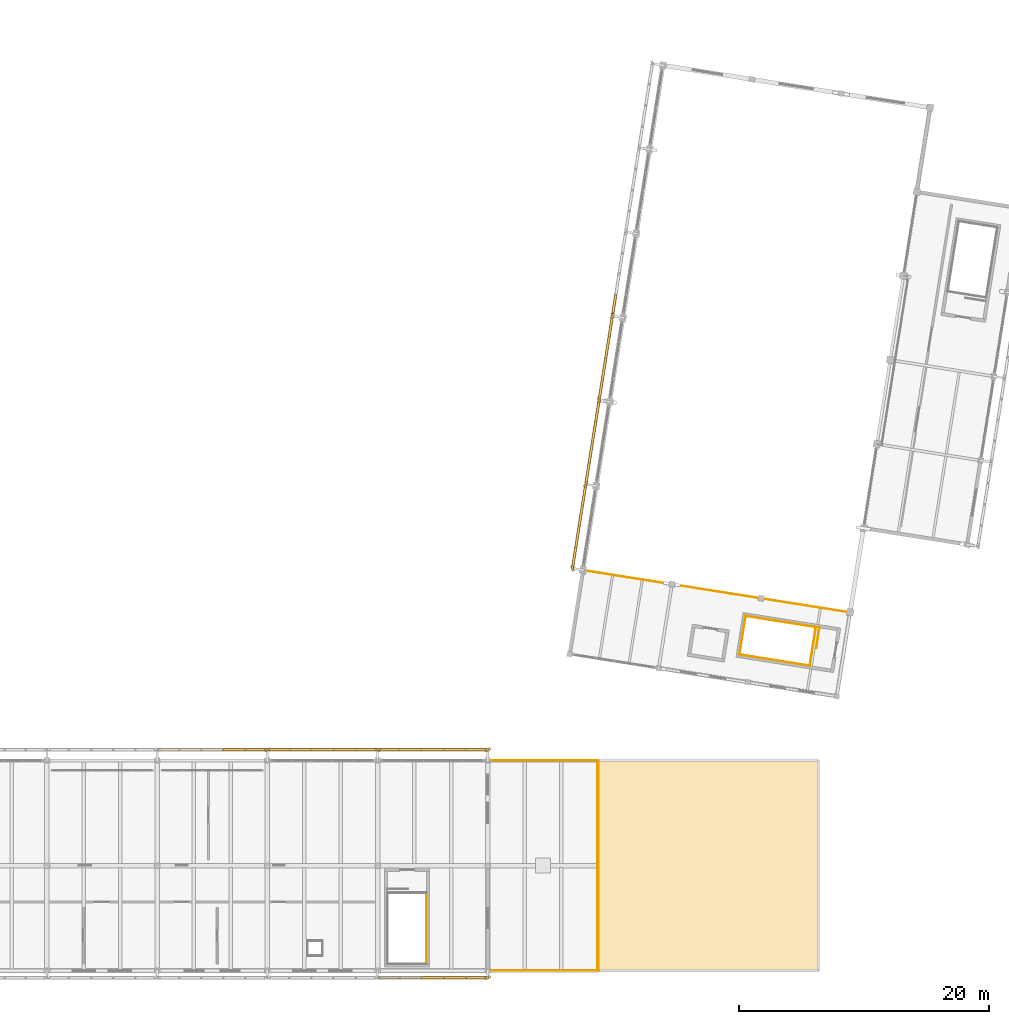
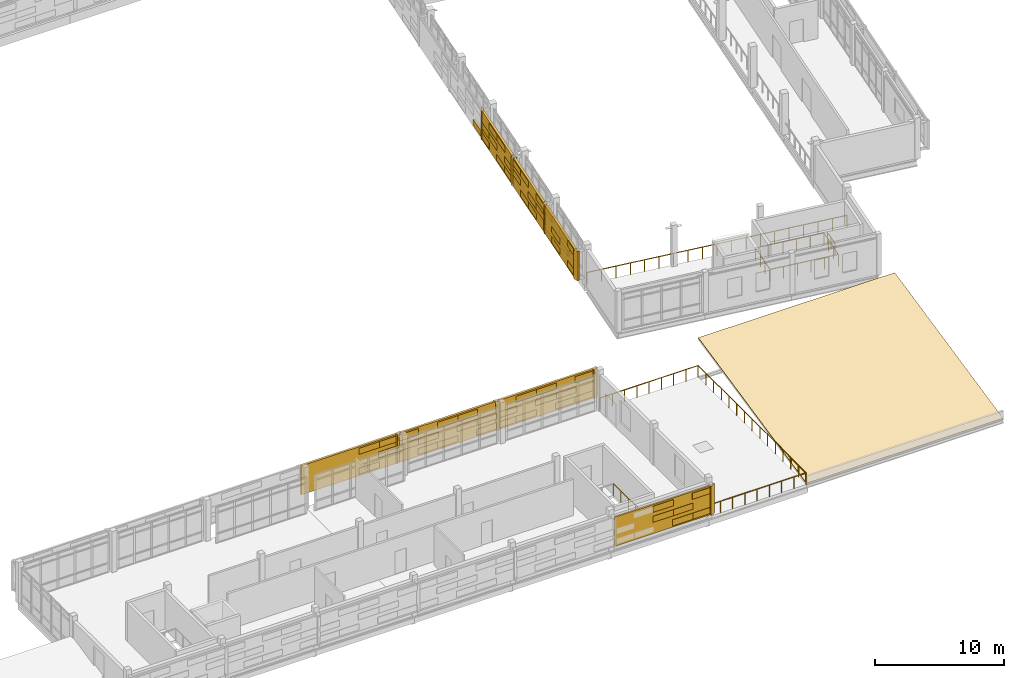
# One storey, part 110 of 117: 64 coverings, 10 railings, 7 shading devices.
"""IFC4 building model written with IfcOpenShell, lengths in metres."""

from ifc_helpers import new_model, si_unit, direction, frame, origin, origin_2d, place, context, subcontext, project, spatial, polyline, rectangle, circle, outline, extrude, material, layer, layer_set, type_object, element, save


model = new_model("IFC4")

# Units and contexts
model_context = context("Model", 3, precision=1e-05, world=origin(), true_north=direction((0.0, 1.0)))
body_context = subcontext(model_context, "Body", "Model", "MODEL_VIEW")
ifc_project = project(units=[si_unit("LENGTHUNIT", "METRE"), si_unit("AREAUNIT", "SQUARE_METRE"), si_unit("VOLUMEUNIT", "CUBIC_METRE"), si_unit("PLANEANGLEUNIT", "RADIAN"), si_unit("MASSUNIT", "GRAM", prefix="KILO")], contexts=[model_context])

# Site, building, storey
site_placement = place(None, origin())
site = spatial("IfcSite", under=ifc_project, at=site_placement, CompositionType="ELEMENT")
building_placement = place(site_placement, origin())
building = spatial("IfcBuilding", under=site, at=building_placement, Name="Cinderway Yard Community Centre", CompositionType="ELEMENT")
storey_placement = place(building_placement, frame((0.0, 0.0, 9.0)))
storey = spatial("IfcBuildingStorey", under=building, at=storey_placement, Name="L02", CompositionType="ELEMENT", Elevation=9.0)

# Coverings
ifc_material_1 = material(Name="Brick Masonry", Category="masonry")
ifc_layer_1 = layer(ifc_material_1, 0.18994140625, Name="Brick Masonry")
ifc_layer_set_1 = layer_set([ifc_layer_1], Name="Brick Masonry")
covering_type_1 = type_object("IfcCoveringType", Name="ENV-COV-BRK-SCREEN", PredefinedType="CLADDING", material=ifc_layer_set_1)
covering_1_placement = place(storey_placement, frame((110.39990234375, 5.449951171875, 0.64990234375), z_axis=(0.0, 0.0, 1.0), x_axis=(-0.913545457643, -0.406736643076, 0.0)))
element("IfcCovering", 1, at=covering_1_placement, inside=storey, type_object=covering_type_1, Name="Deconstructivist folded brick fin 0885", PredefinedType="CLADDING", context=body_context, shape_type="SweptSolid", body=[
    extrude(rectangle(XDim=0.4599609375, YDim=0.199951171875, at=origin_2d()), origin(), (0.0, 0.0, 1.0), 2.75),
])
for number, where, z_axis, x_axis, name in (
    (2, (107.760009765625, 5.449951171875, 0.79052734375), (0.0, 0.0, 1.0), (-1.0, 0.0, 0.0), "Open-bond perforated brick screen course 00938"),
    (3, (109.52001953125, 5.449951171875, 0.79052734375), (0.0, 0.0, 1.0), (-1.0, 0.0, 0.0), "Open-bond perforated brick screen course 00939"),
    (4, (106.0, 5.449951171875, 1.736328125), (0.0, 0.0, 1.0), (-1.0, 0.0, 0.0), "Open-bond perforated brick screen course 00941"),
    (5, (107.760009765625, 5.449951171875, 1.736328125), (0.0, 0.0, 1.0), (-1.0, 0.0, 0.0), "Open-bond perforated brick screen course 00942"),
    (6, (106.0, 5.449951171875, 2.6826171875), (0.0, 0.0, 1.0), (-1.0, 0.0, 0.0), "Open-bond perforated brick screen course 00944"),
    (7, (109.52001953125, 5.449951171875, 2.6826171875), (0.0, 0.0, 1.0), (-1.0, 0.0, 0.0), "Open-bond perforated brick screen course 00945"),
):
    element("IfcCovering", number, at=place(storey_placement, frame(where, z_axis=z_axis, x_axis=x_axis)), inside=storey, type_object=covering_type_1, Name=name, PredefinedType="CLADDING", context=body_context, shape_type="SweptSolid", body=[
        extrude(rectangle(XDim=1.840087890625, YDim=0.18994140625, at=origin_2d()), origin(), (0.0, 0.0, 1.0), 0.576904296875),
    ])
for number, where, z_axis, x_axis, name in (
    (8, (92.800048828125, 23.64990234375, 0.64990234375), (0.0, 0.0, 1.0), (0.913545457643, 0.406736643076, 0.0), "Deconstructivist folded brick fin 0950"),
    (9, (101.60009765625, 23.64990234375, 0.64990234375), (0.0, 0.0, 1.0), (0.913545457643, -0.406736643076, 0.0), "Deconstructivist folded brick fin 0951"),
    (10, (110.39990234375, 23.64990234375, 0.64990234375), (0.0, 0.0, 1.0), (0.913545457643, 0.406736643076, 0.0), "Deconstructivist folded brick fin 0952"),
):
    element("IfcCovering", number, at=place(storey_placement, frame(where, z_axis=z_axis, x_axis=x_axis)), inside=storey, type_object=covering_type_1, Name=name, PredefinedType="CLADDING", context=body_context, shape_type="SweptSolid", body=[
        extrude(rectangle(XDim=0.4599609375, YDim=0.199951171875, at=origin_2d()), origin(), (0.0, 0.0, 1.0), 2.75),
    ])
for number, where, z_axis, x_axis, name in (
    (11, (90.159912109375, 23.64990234375, 0.79052734375), (0.0, 0.0, 1.0), (1.0, 0.0, 0.0), "Open-bond perforated brick screen course 00985"),
    (12, (91.919921875, 23.64990234375, 1.736328125), (0.0, 0.0, 1.0), (1.0, 0.0, 0.0), "Open-bond perforated brick screen course 00988"),
    (13, (90.159912109375, 23.64990234375, 2.6826171875), (0.0, 0.0, 1.0), (1.0, 0.0, 0.0), "Open-bond perforated brick screen course 00991"),
    (14, (91.919921875, 23.64990234375, 2.6826171875), (0.0, 0.0, 1.0), (1.0, 0.0, 0.0), "Open-bond perforated brick screen course 00992"),
    (15, (95.43994140625, 23.64990234375, 0.79052734375), (0.0, 0.0, 1.0), (1.0, 0.0, 0.0), "Open-bond perforated brick screen course 00993"),
    (16, (97.199951171875, 23.64990234375, 0.79052734375), (0.0, 0.0, 1.0), (1.0, 0.0, 0.0), "Open-bond perforated brick screen course 00994"),
    (17, (100.719970703125, 23.64990234375, 0.79052734375), (0.0, 0.0, 1.0), (1.0, 0.0, 0.0), "Open-bond perforated brick screen course 00995"),
    (18, (93.679931640625, 23.64990234375, 1.736328125), (0.0, 0.0, 1.0), (1.0, 0.0, 0.0), "Open-bond perforated brick screen course 00996"),
    (19, (95.43994140625, 23.64990234375, 1.736328125), (0.0, 0.0, 1.0), (1.0, 0.0, 0.0), "Open-bond perforated brick screen course 00997"),
    (20, (98.9599609375, 23.64990234375, 1.736328125), (0.0, 0.0, 1.0), (1.0, 0.0, 0.0), "Open-bond perforated brick screen course 00998"),
    (21, (100.719970703125, 23.64990234375, 1.736328125), (0.0, 0.0, 1.0), (1.0, 0.0, 0.0), "Open-bond perforated brick screen course 00999"),
    (22, (93.679931640625, 23.64990234375, 2.6826171875), (0.0, 0.0, 1.0), (1.0, 0.0, 0.0), "Open-bond perforated brick screen course 01000"),
    (23, (97.199951171875, 23.64990234375, 2.6826171875), (0.0, 0.0, 1.0), (1.0, 0.0, 0.0), "Open-bond perforated brick screen course 01001"),
    (24, (98.9599609375, 23.64990234375, 2.6826171875), (0.0, 0.0, 1.0), (1.0, 0.0, 0.0), "Open-bond perforated brick screen course 01002"),
    (25, (102.47998046875, 23.64990234375, 0.79052734375), (0.0, 0.0, 1.0), (1.0, 0.0, 0.0), "Open-bond perforated brick screen course 01003"),
    (26, (104.239990234375, 23.64990234375, 0.79052734375), (0.0, 0.0, 1.0), (1.0, 0.0, 0.0), "Open-bond perforated brick screen course 01004"),
    (27, (107.760009765625, 23.64990234375, 0.79052734375), (0.0, 0.0, 1.0), (1.0, 0.0, 0.0), "Open-bond perforated brick screen course 01005"),
    (28, (109.52001953125, 23.64990234375, 0.79052734375), (0.0, 0.0, 1.0), (1.0, 0.0, 0.0), "Open-bond perforated brick screen course 01006"),
    (29, (102.47998046875, 23.64990234375, 1.736328125), (0.0, 0.0, 1.0), (1.0, 0.0, 0.0), "Open-bond perforated brick screen course 01007"),
    (30, (106.0, 23.64990234375, 1.736328125), (0.0, 0.0, 1.0), (1.0, 0.0, 0.0), "Open-bond perforated brick screen course 01008"),
    (31, (107.760009765625, 23.64990234375, 1.736328125), (0.0, 0.0, 1.0), (1.0, 0.0, 0.0), "Open-bond perforated brick screen course 01009"),
    (32, (104.239990234375, 23.64990234375, 2.6826171875), (0.0, 0.0, 1.0), (1.0, 0.0, 0.0), "Open-bond perforated brick screen course 01010"),
    (33, (106.0, 23.64990234375, 2.6826171875), (0.0, 0.0, 1.0), (1.0, 0.0, 0.0), "Open-bond perforated brick screen course 01011"),
    (34, (109.52001953125, 23.64990234375, 2.6826171875), (0.0, 0.0, 1.0), (1.0, 0.0, 0.0), "Open-bond perforated brick screen course 01012"),
):
    element("IfcCovering", number, at=place(storey_placement, frame(where, z_axis=z_axis, x_axis=x_axis)), inside=storey, type_object=covering_type_1, Name=name, PredefinedType="CLADDING", context=body_context, shape_type="SweptSolid", body=[
        extrude(rectangle(XDim=1.840087890625, YDim=0.18994140625, at=origin_2d()), origin(), (0.0, 0.0, 1.0), 0.576904296875),
    ])
for number, where, z_axis, x_axis, name in (
    (35, (117.159912109375, 38.133056640625, 0.64990234375), (0.0, 0.0, 1.0), (-0.258819045103, 0.965925826289, 0.0), "Deconstructivist folded brick fin 1375"),
    (36, (118.22412109375, 44.84912109375, 0.64990234375), (0.0, 0.0, 1.0), (0.544639035015, 0.838670567945, 0.0), "Deconstructivist folded brick fin 1376"),
    (37, (119.2880859375, 51.56591796875, 0.64990234375), (0.0, 0.0, 1.0), (-0.258819045103, 0.965925826289, 0.0), "Deconstructivist folded brick fin 1377"),
    (38, (120.35107421875, 58.281982421875, 0.64990234375), (0.0, 0.0, 1.0), (0.544639035015, 0.838670567945, 0.0), "Deconstructivist folded brick fin 1378"),
):
    element("IfcCovering", number, at=place(storey_placement, frame(where, z_axis=z_axis, x_axis=x_axis)), inside=storey, type_object=covering_type_1, Name=name, PredefinedType="CLADDING", context=body_context, shape_type="SweptSolid", body=[
        extrude(rectangle(XDim=0.4599609375, YDim=0.199951171875, at=origin_2d()), origin(), (0.0, 0.0, 1.0), 2.75),
    ])
for number, where, z_axis, x_axis, name in (
    (39, (117.29296875, 38.972900390625, 0.79052734375), (0.0, 0.0, 1.0), (0.15643446504, 0.987688340595, 0.0), "Open-bond perforated brick screen course 01382"),
    (40, (117.824951171875, 42.3310546875, 0.79052734375), (0.0, 0.0, 1.0), (0.15643446504, 0.987688340595, 0.0), "Open-bond perforated brick screen course 01383"),
    (41, (118.091064453125, 44.009033203125, 0.79052734375), (0.0, 0.0, 1.0), (0.15643446504, 0.987688340595, 0.0), "Open-bond perforated brick screen course 01384"),
    (42, (117.55908203125, 40.65087890625, 1.736328125), (0.0, 0.0, 1.0), (0.15643446504, 0.987688340595, 0.0), "Open-bond perforated brick screen course 01385"),
    (43, (117.824951171875, 42.3310546875, 1.736328125), (0.0, 0.0, 1.0), (0.15643446504, 0.987688340595, 0.0), "Open-bond perforated brick screen course 01386"),
    (44, (117.29296875, 38.972900390625, 2.6826171875), (0.0, 0.0, 1.0), (0.15643446504, 0.987688340595, 0.0), "Open-bond perforated brick screen course 01387"),
    (45, (117.55908203125, 40.65087890625, 2.6826171875), (0.0, 0.0, 1.0), (0.15643446504, 0.987688340595, 0.0), "Open-bond perforated brick screen course 01388"),
    (46, (118.091064453125, 44.009033203125, 2.6826171875), (0.0, 0.0, 1.0), (0.15643446504, 0.987688340595, 0.0), "Open-bond perforated brick screen course 01389"),
    (47, (118.623046875, 47.367919921875, 0.79052734375), (0.0, 0.0, 1.0), (0.15643446504, 0.987688340595, 0.0), "Open-bond perforated brick screen course 01390"),
    (48, (118.888916015625, 49.047119140625, 0.79052734375), (0.0, 0.0, 1.0), (0.15643446504, 0.987688340595, 0.0), "Open-bond perforated brick screen course 01391"),
    (49, (118.35693359375, 45.68896484375, 1.736328125), (0.0, 0.0, 1.0), (0.15643446504, 0.987688340595, 0.0), "Open-bond perforated brick screen course 01392"),
    (50, (118.623046875, 47.367919921875, 1.736328125), (0.0, 0.0, 1.0), (0.15643446504, 0.987688340595, 0.0), "Open-bond perforated brick screen course 01393"),
    (51, (119.155029296875, 50.72607421875, 1.736328125), (0.0, 0.0, 1.0), (0.15643446504, 0.987688340595, 0.0), "Open-bond perforated brick screen course 01394"),
    (52, (118.35693359375, 45.68896484375, 2.6826171875), (0.0, 0.0, 1.0), (0.15643446504, 0.987688340595, 0.0), "Open-bond perforated brick screen course 01395"),
    (53, (118.888916015625, 49.047119140625, 2.6826171875), (0.0, 0.0, 1.0), (0.15643446504, 0.987688340595, 0.0), "Open-bond perforated brick screen course 01396"),
    (54, (119.155029296875, 50.72607421875, 2.6826171875), (0.0, 0.0, 1.0), (0.15643446504, 0.987688340595, 0.0), "Open-bond perforated brick screen course 01397"),
    (55, (119.4208984375, 52.406005859375, 0.79052734375), (0.0, 0.0, 1.0), (0.15643446504, 0.987688340595, 0.0), "Open-bond perforated brick screen course 01398"),
    (56, (119.68701171875, 54.083984375, 0.79052734375), (0.0, 0.0, 1.0), (0.15643446504, 0.987688340595, 0.0), "Open-bond perforated brick screen course 01399"),
    (57, (120.218017578125, 57.44189453125, 0.79052734375), (0.0, 0.0, 1.0), (0.15643446504, 0.987688340595, 0.0), "Open-bond perforated brick screen course 01400"),
    (58, (119.4208984375, 52.406005859375, 1.736328125), (0.0, 0.0, 1.0), (0.15643446504, 0.987688340595, 0.0), "Open-bond perforated brick screen course 01401"),
    (59, (119.951904296875, 55.763916015625, 1.736328125), (0.0, 0.0, 1.0), (0.15643446504, 0.987688340595, 0.0), "Open-bond perforated brick screen course 01402"),
    (60, (120.218017578125, 57.44189453125, 1.736328125), (0.0, 0.0, 1.0), (0.15643446504, 0.987688340595, 0.0), "Open-bond perforated brick screen course 01403"),
    (61, (119.68701171875, 54.083984375, 2.6826171875), (0.0, 0.0, 1.0), (0.15643446504, 0.987688340595, 0.0), "Open-bond perforated brick screen course 01404"),
    (62, (119.951904296875, 55.763916015625, 2.6826171875), (0.0, 0.0, 1.0), (0.15643446504, 0.987688340595, 0.0), "Open-bond perforated brick screen course 01405"),
    (63, (120.48388671875, 59.12109375, 0.79052734375), (0.0, 0.0, 1.0), (0.15643446504, 0.987688340595, 0.0), "Open-bond perforated brick screen course 01406"),
):
    element("IfcCovering", number, at=place(storey_placement, frame(where, z_axis=z_axis, x_axis=x_axis)), inside=storey, type_object=covering_type_1, Name=name, PredefinedType="CLADDING", context=body_context, shape_type="SweptSolid", body=[
        extrude(rectangle(XDim=1.780029296875, YDim=0.18994140625, at=origin_2d()), origin(), (0.0, 0.0, 1.0), 0.576904296875),
    ])

# Shading devices
shading_device_type_1 = type_object("IfcShadingDeviceType", Name="ENV-SHD-BRICKSCREEN-A", PredefinedType="USERDEFINED", material=ifc_material_1)
for number, where, z_axis, x_axis, name in (
    (64, (88.39990234375, 23.64990234375, 0.64990234375), (0.0, 0.0, 1.0), (1.0, 0.0, 0.0), "V3 Courtyard Perforated Brick Screen 0723"),
    (65, (97.199951171875, 23.64990234375, 0.64990234375), (0.0, 0.0, 1.0), (1.0, 0.0, 0.0), "V3 Courtyard Perforated Brick Screen 0731"),
    (66, (106.0, 23.64990234375, 0.64990234375), (0.0, 0.0, 1.0), (1.0, 0.0, 0.0), "V3 Courtyard Perforated Brick Screen 0739"),
):
    element("IfcShadingDevice", number, at=place(storey_placement, frame(where, z_axis=z_axis, x_axis=x_axis)), inside=storey, type_object=shading_device_type_1, Name=name, ObjectType="PERFORATED BRICK SCREEN", PredefinedType="USERDEFINED", context=body_context, shape_type="SweptSolid", body=[
        extrude(rectangle(XDim=8.60009765625, YDim=0.18994140625, at=origin_2d()), origin(), (0.0, 0.0, 1.0), 2.75),
    ])
shading_device_1_placement = place(storey_placement, frame((117.69189453125, 41.490966796875, 0.64990234375), z_axis=(0.0, 0.0, 1.0), x_axis=(0.15643446504, 0.987688340595, 0.0)))
element("IfcShadingDevice", 67, at=shading_device_1_placement, inside=storey, type_object=shading_device_type_1, Name="Sports Hall Courtyard Perforated Brick Screen 1047", ObjectType="PERFORATED BRICK SCREEN", PredefinedType="USERDEFINED", context=body_context, shape_type="SweptSolid", body=[
    extrude(rectangle(XDim=6.60009765625, YDim=0.18994140625, at=origin_2d()), origin(), (0.0, 0.0, 1.0), 2.75),
])
shading_device_2_placement = place(storey_placement, frame((118.756103515625, 48.20703125, 0.64990234375), z_axis=(0.0, 0.0, 1.0), x_axis=(0.15643446504, 0.987688340595, 0.0)))
element("IfcShadingDevice", 68, at=shading_device_2_placement, inside=storey, type_object=shading_device_type_1, Name="Sports Hall Courtyard Perforated Brick Screen 1054", ObjectType="PERFORATED BRICK SCREEN", PredefinedType="USERDEFINED", context=body_context, shape_type="SweptSolid", body=[
    extrude(rectangle(XDim=6.60107421875, YDim=0.18994140625, at=origin_2d()), origin(), (0.0, 0.0, 1.0), 2.75),
])
shading_device_3_placement = place(storey_placement, frame((119.820068359375, 54.924072265625, 0.64990234375), z_axis=(0.0, 0.0, 1.0), x_axis=(0.15643446504, 0.987688340595, 0.0)))
element("IfcShadingDevice", 69, at=shading_device_3_placement, inside=storey, type_object=shading_device_type_1, Name="Sports Hall Courtyard Perforated Brick Screen 1061", ObjectType="PERFORATED BRICK SCREEN", PredefinedType="USERDEFINED", context=body_context, shape_type="SweptSolid", body=[
    extrude(rectangle(XDim=6.60009765625, YDim=0.18994140625, at=origin_2d()), origin(), (0.0, 0.0, 1.0), 2.75),
])
ifc_material_2 = material(Name="Aluminium 6063-T6", Category="aluminium")
shading_device_type_2 = type_object("IfcShadingDeviceType", Name="ENV-SHD-JALOUSIE", PredefinedType="JALOUSIE", material=ifc_material_2)
shading_device_4_placement = place(storey_placement, frame((106.0, 5.449951171875, 0.64990234375), z_axis=(0.0, 0.0, 1.0), x_axis=(-1.0, 0.0, 0.0)))
element("IfcShadingDevice", 70, at=shading_device_4_placement, inside=storey, type_object=shading_device_type_2, Name="South Rail-Yard Solar Screen 0690", PredefinedType="JALOUSIE", context=body_context, shape_type="SweptSolid", body=[
    extrude(rectangle(XDim=8.60009765625, YDim=0.139892578125, at=origin_2d()), origin(), (0.0, 0.0, 1.0), 2.75),
])

# Covering
ifc_material_3 = material(Name="Standing-Seam Aluminium & Waterproofing", Category="aluminium")
ifc_layer_2 = layer(ifc_material_3, 0.06005859375, Name="Standing-Seam Aluminium & Waterproofing")
ifc_layer_set_2 = layer_set([ifc_layer_2], Name="Standing-Seam Aluminium & Waterproofing")
covering_type_2 = type_object("IfcCoveringType", Name="INT-COV-ROOF-MEM", PredefinedType="ROOFING", material=ifc_layer_set_2)
covering_2_placement = place(storey_placement, frame((119.199951171875, 6.0, 0.110107421875), z_axis=(0.0, -0.209520355025, 0.977804285545), x_axis=(1.0, 0.0, 0.0)))
element("IfcCovering", 71, at=covering_2_placement, inside=storey, type_object=covering_type_2, Name="Standing-seam roof membrane 18", PredefinedType="ROOFING", context=body_context, shape_type="SweptSolid", body=[
    extrude(outline(polyline([(0.0, 0.0), (17.60009765625, 0.0), (17.60009765625, 17.18140232813788), (0.0, 17.18140232813788), (0.0, 0.0)])), origin(), (0.0, 0.0, -1.0), 0.06005859375),
])

# Railings
ifc_material_4 = material(Name="Painted Galvanised Steel", Category="steel")
railing_type_1 = type_object("IfcRailingType", Name="INT-RAL-BAL112", PredefinedType="BALUSTRADE", material=ifc_material_4)
railing_1_placement = place(storey_placement, frame((117.9970703125, 37.97998046875, 0.0)))
element("IfcRailing", 72, at=railing_1_placement, inside=storey, type_object=railing_type_1, Name="Sports South Overlook Guard L02 026", PredefinedType="BALUSTRADE", context=body_context, shape_type="SweptSolid", body=[
    extrude(circle(Radius=0.02392578125, at=origin_2d()), frame((0.0, 0.0, 1.09619140625), z_axis=(0.987688805013, -0.156431532791, 0.0), x_axis=(0.156431532791, 0.987688805013, 0.0)), (0.0, 0.0, 1.0), 21.599853515625),
    extrude(circle(Radius=0.02099609375, at=origin_2d()), origin(), (0.0, 0.0, 1.0), 1.072021484375),
    extrude(circle(Radius=0.02099609375, at=origin_2d()), frame((1.185302734375, -0.187744140625, 0.0)), (0.0, 0.0, 1.0), 1.072021484375),
    extrude(circle(Radius=0.02099609375, at=origin_2d()), frame((2.370361328125, -0.37548828125, 0.0)), (0.0, 0.0, 1.0), 1.072021484375),
    extrude(circle(Radius=0.02099609375, at=origin_2d()), frame((3.5556640625, -0.563232421875, 0.0)), (0.0, 0.0, 1.0), 1.072021484375),
    extrude(circle(Radius=0.02099609375, at=origin_2d()), frame((4.740966796875, -0.7509765625, 0.0)), (0.0, 0.0, 1.0), 1.072021484375),
    extrude(circle(Radius=0.02099609375, at=origin_2d()), frame((5.926025390625, -0.9384765625, 0.0)), (0.0, 0.0, 1.0), 1.072021484375),
    extrude(circle(Radius=0.02099609375, at=origin_2d()), frame((7.111328125, -1.126220703125, 0.0)), (0.0, 0.0, 1.0), 1.072021484375),
    extrude(circle(Radius=0.02099609375, at=origin_2d()), frame((8.296630859375, -1.31396484375, 0.0)), (0.0, 0.0, 1.0), 1.072021484375),
    extrude(circle(Radius=0.02099609375, at=origin_2d()), frame((9.481689453125, -1.501708984375, 0.0)), (0.0, 0.0, 1.0), 1.072021484375),
    extrude(circle(Radius=0.02099609375, at=origin_2d()), frame((10.6669921875, -1.689453125, 0.0)), (0.0, 0.0, 1.0), 1.072021484375),
    extrude(circle(Radius=0.02099609375, at=origin_2d()), frame((11.852294921875, -1.877197265625, 0.0)), (0.0, 0.0, 1.0), 1.072021484375),
    extrude(circle(Radius=0.02099609375, at=origin_2d()), frame((13.037353515625, -2.06494140625, 0.0)), (0.0, 0.0, 1.0), 1.072021484375),
    extrude(circle(Radius=0.02099609375, at=origin_2d()), frame((14.22265625, -2.252685546875, 0.0)), (0.0, 0.0, 1.0), 1.072021484375),
    extrude(circle(Radius=0.02099609375, at=origin_2d()), frame((15.407958984375, -2.4404296875, 0.0)), (0.0, 0.0, 1.0), 1.072021484375),
    extrude(circle(Radius=0.02099609375, at=origin_2d()), frame((16.593017578125, -2.6279296875, 0.0)), (0.0, 0.0, 1.0), 1.072021484375),
    extrude(circle(Radius=0.02099609375, at=origin_2d()), frame((17.7783203125, -2.815673828125, 0.0)), (0.0, 0.0, 1.0), 1.072021484375),
    extrude(circle(Radius=0.02099609375, at=origin_2d()), frame((18.963623046875, -3.00341796875, 0.0)), (0.0, 0.0, 1.0), 1.072021484375),
    extrude(circle(Radius=0.02099609375, at=origin_2d()), frame((20.148681640625, -3.191162109375, 0.0)), (0.0, 0.0, 1.0), 1.072021484375),
    extrude(circle(Radius=0.02099609375, at=origin_2d()), frame((21.333984375, -3.37890625, 0.0)), (0.0, 0.0, 1.0), 1.072021484375),
])
railing_type_2 = type_object("IfcRailingType", Name="INT-RAL-GRD112", PredefinedType="GUARDRAIL", material=ifc_material_4)
railing_2_placement = place(storey_placement, frame((136.881591796875, 33.3896484375, 0.0)))
element("IfcRailing", 73, at=railing_2_placement, inside=storey, type_object=railing_type_2, Name="L02 ST-07 top well guard 1", PredefinedType="GUARDRAIL", context=body_context, shape_type="SweptSolid", body=[
    extrude(circle(Radius=0.02392578125, at=origin_2d()), frame((0.0, 0.0, 1.076171875), z_axis=(-0.156451780473, -0.987685597944, 0.0), x_axis=(0.987685597944, -0.156451780473, 0.0)), (0.0, 0.0, 1.0), 1.64013671875),
    extrude(circle(Radius=0.02099609375, at=origin_2d()), origin(), (0.0, 0.0, 1.0), 1.052001953125),
    extrude(circle(Radius=0.02099609375, at=origin_2d()), frame((-0.12841796875, -0.81005859375, 0.0)), (0.0, 0.0, 1.0), 1.052001953125),
    extrude(circle(Radius=0.02099609375, at=origin_2d()), frame((-0.256591796875, -1.619873046875, 0.0)), (0.0, 0.0, 1.0), 1.052001953125),
])
railing_3_placement = place(storey_placement, frame((110.39990234375, 22.780029296875, 0.0)))
element("IfcRailing", 74, at=railing_3_placement, inside=storey, type_object=railing_type_2, Name="V3 L02 East Terrace Guard 029", PredefinedType="GUARDRAIL", context=body_context, shape_type="SweptSolid", body=[
    extrude(circle(Radius=0.02392578125, at=origin_2d()), frame((0.0, 0.0, 1.09619140625), z_axis=(1.0, 0.0, 0.0), x_axis=(0.0, 1.0, 0.0)), (0.0, 0.0, 1.0), 8.780029296875),
    extrude(circle(Radius=0.02099609375, at=origin_2d()), origin(), (0.0, 0.0, 1.0), 1.072021484375),
    extrude(circle(Radius=0.02099609375, at=origin_2d()), frame((1.097412109375, 0.0, 0.0)), (0.0, 0.0, 1.0), 1.072021484375),
    extrude(circle(Radius=0.02099609375, at=origin_2d()), frame((2.195068359375, 0.0, 0.0)), (0.0, 0.0, 1.0), 1.072021484375),
    extrude(circle(Radius=0.02099609375, at=origin_2d()), frame((3.29248046875, 0.0, 0.0)), (0.0, 0.0, 1.0), 1.072021484375),
    extrude(circle(Radius=0.02099609375, at=origin_2d()), frame((4.39013671875, 0.0, 0.0)), (0.0, 0.0, 1.0), 1.072021484375),
    extrude(circle(Radius=0.02099609375, at=origin_2d()), frame((5.487548828125, 0.0, 0.0)), (0.0, 0.0, 1.0), 1.072021484375),
    extrude(circle(Radius=0.02099609375, at=origin_2d()), frame((6.5849609375, 0.0, 0.0)), (0.0, 0.0, 1.0), 1.072021484375),
    extrude(circle(Radius=0.02099609375, at=origin_2d()), frame((7.6826171875, 0.0, 0.0)), (0.0, 0.0, 1.0), 1.072021484375),
    extrude(circle(Radius=0.02099609375, at=origin_2d()), frame((8.780029296875, 0.0, 0.0)), (0.0, 0.0, 1.0), 1.072021484375),
])
railing_4_placement = place(storey_placement, frame((119.179931640625, 22.780029296875, 0.0)))
element("IfcRailing", 75, at=railing_4_placement, inside=storey, type_object=railing_type_2, Name="V3 L02 East Terrace Guard 030", PredefinedType="GUARDRAIL", context=body_context, shape_type="SweptSolid", body=[
    extrude(circle(Radius=0.02392578125, at=origin_2d()), frame((0.0, 0.0, 1.09619140625), z_axis=(0.0, -1.0, 0.0), x_axis=(1.0, 0.0, 0.0)), (0.0, 0.0, 1.0), 16.760009765625),
    extrude(circle(Radius=0.02099609375, at=origin_2d()), origin(), (0.0, 0.0, 1.0), 1.072021484375),
    extrude(circle(Radius=0.02099609375, at=origin_2d()), frame((0.0, -1.197265625, 0.0)), (0.0, 0.0, 1.0), 1.072021484375),
    extrude(circle(Radius=0.02099609375, at=origin_2d()), frame((0.0, -2.394287109375, 0.0)), (0.0, 0.0, 1.0), 1.072021484375),
    extrude(circle(Radius=0.02099609375, at=origin_2d()), frame((0.0, -3.59130859375, 0.0)), (0.0, 0.0, 1.0), 1.072021484375),
    extrude(circle(Radius=0.02099609375, at=origin_2d()), frame((0.0, -4.78857421875, 0.0)), (0.0, 0.0, 1.0), 1.072021484375),
    extrude(circle(Radius=0.02099609375, at=origin_2d()), frame((0.0, -5.98583984375, 0.0)), (0.0, 0.0, 1.0), 1.072021484375),
    extrude(circle(Radius=0.02099609375, at=origin_2d()), frame((0.0, -7.182861328125, 0.0)), (0.0, 0.0, 1.0), 1.072021484375),
    extrude(circle(Radius=0.02099609375, at=origin_2d()), frame((0.0, -8.3798828125, 0.0)), (0.0, 0.0, 1.0), 1.072021484375),
    extrude(circle(Radius=0.02099609375, at=origin_2d()), frame((0.0, -9.5771484375, 0.0)), (0.0, 0.0, 1.0), 1.072021484375),
    extrude(circle(Radius=0.02099609375, at=origin_2d()), frame((0.0, -10.7744140625, 0.0)), (0.0, 0.0, 1.0), 1.072021484375),
    extrude(circle(Radius=0.02099609375, at=origin_2d()), frame((0.0, -11.971435546875, 0.0)), (0.0, 0.0, 1.0), 1.072021484375),
    extrude(circle(Radius=0.02099609375, at=origin_2d()), frame((0.0, -13.16845703125, 0.0)), (0.0, 0.0, 1.0), 1.072021484375),
    extrude(circle(Radius=0.02099609375, at=origin_2d()), frame((0.0, -14.36572265625, 0.0)), (0.0, 0.0, 1.0), 1.072021484375),
    extrude(circle(Radius=0.02099609375, at=origin_2d()), frame((0.0, -15.56298828125, 0.0)), (0.0, 0.0, 1.0), 1.072021484375),
    extrude(circle(Radius=0.02099609375, at=origin_2d()), frame((0.0, -16.760009765625, 0.0)), (0.0, 0.0, 1.0), 1.072021484375),
])
railing_5_placement = place(storey_placement, frame((119.179931640625, 6.02001953125, 0.0)))
element("IfcRailing", 76, at=railing_5_placement, inside=storey, type_object=railing_type_2, Name="V3 L02 East Terrace Guard 031", PredefinedType="GUARDRAIL", context=body_context, shape_type="SweptSolid", body=[
    extrude(circle(Radius=0.02392578125, at=origin_2d()), frame((0.0, 0.0, 1.09619140625), z_axis=(-1.0, 0.0, 0.0), x_axis=(0.0, -1.0, 0.0)), (0.0, 0.0, 1.0), 8.780029296875),
    extrude(circle(Radius=0.02099609375, at=origin_2d()), origin(), (0.0, 0.0, 1.0), 1.072021484375),
    extrude(circle(Radius=0.02099609375, at=origin_2d()), frame((-1.097412109375, 0.0, 0.0)), (0.0, 0.0, 1.0), 1.072021484375),
    extrude(circle(Radius=0.02099609375, at=origin_2d()), frame((-2.195068359375, 0.0, 0.0)), (0.0, 0.0, 1.0), 1.072021484375),
    extrude(circle(Radius=0.02099609375, at=origin_2d()), frame((-3.29248046875, 0.0, 0.0)), (0.0, 0.0, 1.0), 1.072021484375),
    extrude(circle(Radius=0.02099609375, at=origin_2d()), frame((-4.39013671875, 0.0, 0.0)), (0.0, 0.0, 1.0), 1.072021484375),
    extrude(circle(Radius=0.02099609375, at=origin_2d()), frame((-5.487548828125, 0.0, 0.0)), (0.0, 0.0, 1.0), 1.072021484375),
    extrude(circle(Radius=0.02099609375, at=origin_2d()), frame((-6.5849609375, 0.0, 0.0)), (0.0, 0.0, 1.0), 1.072021484375),
    extrude(circle(Radius=0.02099609375, at=origin_2d()), frame((-7.6826171875, 0.0, 0.0)), (0.0, 0.0, 1.0), 1.072021484375),
    extrude(circle(Radius=0.02099609375, at=origin_2d()), frame((-8.780029296875, 0.0, 0.0)), (0.0, 0.0, 1.0), 1.072021484375),
])
railing_6_placement = place(storey_placement, frame((136.594970703125, 33.43603515625, 0.0)))
element("IfcRailing", 77, at=railing_6_placement, inside=storey, type_object=railing_type_2, Name="Service void perimeter guard L02 123", PredefinedType="GUARDRAIL", context=body_context, shape_type="SweptSolid", body=[
    extrude(circle(Radius=0.02392578125, at=origin_2d()), frame((0.0, 0.0, 1.09619140625), z_axis=(-0.987703994139, 0.15633560043, 0.0), x_axis=(-0.15633560043, -0.987703994139, 0.0)), (0.0, 0.0, 1.0), 5.6796875),
    extrude(circle(Radius=0.02099609375, at=origin_2d()), origin(), (0.0, 0.0, 1.0), 1.072021484375),
    extrude(circle(Radius=0.02099609375, at=origin_2d()), frame((-1.1220703125, 0.177490234375, 0.0)), (0.0, 0.0, 1.0), 1.072021484375),
    extrude(circle(Radius=0.02099609375, at=origin_2d()), frame((-2.243896484375, 0.355224609375, 0.0)), (0.0, 0.0, 1.0), 1.072021484375),
    extrude(circle(Radius=0.02099609375, at=origin_2d()), frame((-3.365966796875, 0.53271484375, 0.0)), (0.0, 0.0, 1.0), 1.072021484375),
    extrude(circle(Radius=0.02099609375, at=origin_2d()), frame((-4.48779296875, 0.71044921875, 0.0)), (0.0, 0.0, 1.0), 1.072021484375),
    extrude(circle(Radius=0.02099609375, at=origin_2d()), frame((-5.60986328125, 0.887939453125, 0.0)), (0.0, 0.0, 1.0), 1.072021484375),
])
railing_7_placement = place(storey_placement, frame((130.985107421875, 34.323974609375, 0.0)))
element("IfcRailing", 78, at=railing_7_placement, inside=storey, type_object=railing_type_2, Name="Service void perimeter guard L02 124", PredefinedType="GUARDRAIL", context=body_context, shape_type="SweptSolid", body=[
    extrude(circle(Radius=0.02392578125, at=origin_2d()), frame((0.0, 0.0, 1.09619140625), z_axis=(-0.156400487121, -0.98769372157, 0.0), x_axis=(0.98769372157, -0.156400487121, 0.0)), (0.0, 0.0, 1.0), 3.120361328125),
    extrude(circle(Radius=0.02099609375, at=origin_2d()), origin(), (0.0, 0.0, 1.0), 1.072021484375),
    extrude(circle(Radius=0.02099609375, at=origin_2d()), frame((-0.16259765625, -1.02734375, 0.0)), (0.0, 0.0, 1.0), 1.072021484375),
    extrude(circle(Radius=0.02099609375, at=origin_2d()), frame((-0.325439453125, -2.0546875, 0.0)), (0.0, 0.0, 1.0), 1.072021484375),
    extrude(circle(Radius=0.02099609375, at=origin_2d()), frame((-0.488037109375, -3.08203125, 0.0)), (0.0, 0.0, 1.0), 1.072021484375),
])
railing_8_placement = place(storey_placement, frame((130.4970703125, 31.241943359375, 0.0)))
element("IfcRailing", 79, at=railing_8_placement, inside=storey, type_object=railing_type_2, Name="Service void perimeter guard L02 125", PredefinedType="GUARDRAIL", context=body_context, shape_type="SweptSolid", body=[
    extrude(circle(Radius=0.02392578125, at=origin_2d()), frame((0.0, 0.0, 1.09619140625), z_axis=(0.987703994139, -0.15633560043, 0.0), x_axis=(0.15633560043, 0.987703994139, 0.0)), (0.0, 0.0, 1.0), 5.6796875),
    extrude(circle(Radius=0.02099609375, at=origin_2d()), origin(), (0.0, 0.0, 1.0), 1.072021484375),
    extrude(circle(Radius=0.02099609375, at=origin_2d()), frame((1.1220703125, -0.177490234375, 0.0)), (0.0, 0.0, 1.0), 1.072021484375),
    extrude(circle(Radius=0.02099609375, at=origin_2d()), frame((2.243896484375, -0.355224609375, 0.0)), (0.0, 0.0, 1.0), 1.072021484375),
    extrude(circle(Radius=0.02099609375, at=origin_2d()), frame((3.365966796875, -0.53271484375, 0.0)), (0.0, 0.0, 1.0), 1.072021484375),
    extrude(circle(Radius=0.02099609375, at=origin_2d()), frame((4.48779296875, -0.71044921875, 0.0)), (0.0, 0.0, 1.0), 1.072021484375),
    extrude(circle(Radius=0.02099609375, at=origin_2d()), frame((5.60986328125, -0.887939453125, 0.0)), (0.0, 0.0, 1.0), 1.072021484375),
])
railing_9_placement = place(storey_placement, frame((136.10693359375, 30.35400390625, 0.0)))
element("IfcRailing", 80, at=railing_9_placement, inside=storey, type_object=railing_type_2, Name="Service void perimeter guard L02 126", PredefinedType="GUARDRAIL", context=body_context, shape_type="SweptSolid", body=[
    extrude(circle(Radius=0.02392578125, at=origin_2d()), frame((0.0, 0.0, 1.09619140625), z_axis=(0.156400487121, 0.98769372157, 0.0), x_axis=(-0.98769372157, 0.156400487121, 0.0)), (0.0, 0.0, 1.0), 3.120361328125),
    extrude(circle(Radius=0.02099609375, at=origin_2d()), origin(), (0.0, 0.0, 1.0), 1.072021484375),
    extrude(circle(Radius=0.02099609375, at=origin_2d()), frame((0.16259765625, 1.02734375, 0.0)), (0.0, 0.0, 1.0), 1.072021484375),
    extrude(circle(Radius=0.02099609375, at=origin_2d()), frame((0.325439453125, 2.0546875, 0.0)), (0.0, 0.0, 1.0), 1.072021484375),
    extrude(circle(Radius=0.02099609375, at=origin_2d()), frame((0.488037109375, 3.08203125, 0.0)), (0.0, 0.0, 1.0), 1.072021484375),
])
railing_10_placement = place(storey_placement, frame((105.52001953125, 6.550048828125, 0.0)))
element("IfcRailing", 81, at=railing_10_placement, inside=storey, type_object=railing_type_2, Name="Service void perimeter guard L02 141", PredefinedType="GUARDRAIL", context=body_context, shape_type="SweptSolid", body=[
    extrude(circle(Radius=0.02392578125, at=origin_2d()), frame((0.0, 0.0, 1.09619140625), z_axis=(0.0, 1.0, 0.0), x_axis=(-1.0, 0.0, 0.0)), (0.0, 0.0, 1.0), 5.679931640625),
    extrude(circle(Radius=0.02099609375, at=origin_2d()), origin(), (0.0, 0.0, 1.0), 1.072021484375),
    extrude(circle(Radius=0.02099609375, at=origin_2d()), frame((0.0, 1.135986328125, 0.0)), (0.0, 0.0, 1.0), 1.072021484375),
    extrude(circle(Radius=0.02099609375, at=origin_2d()), frame((0.0, 2.27197265625, 0.0)), (0.0, 0.0, 1.0), 1.072021484375),
    extrude(circle(Radius=0.02099609375, at=origin_2d()), frame((0.0, 3.407958984375, 0.0)), (0.0, 0.0, 1.0), 1.072021484375),
    extrude(circle(Radius=0.02099609375, at=origin_2d()), frame((0.0, 4.5439453125, 0.0)), (0.0, 0.0, 1.0), 1.072021484375),
    extrude(circle(Radius=0.02099609375, at=origin_2d()), frame((0.0, 5.679931640625, 0.0)), (0.0, 0.0, 1.0), 1.072021484375),
])

save(model, "model.ifc")
